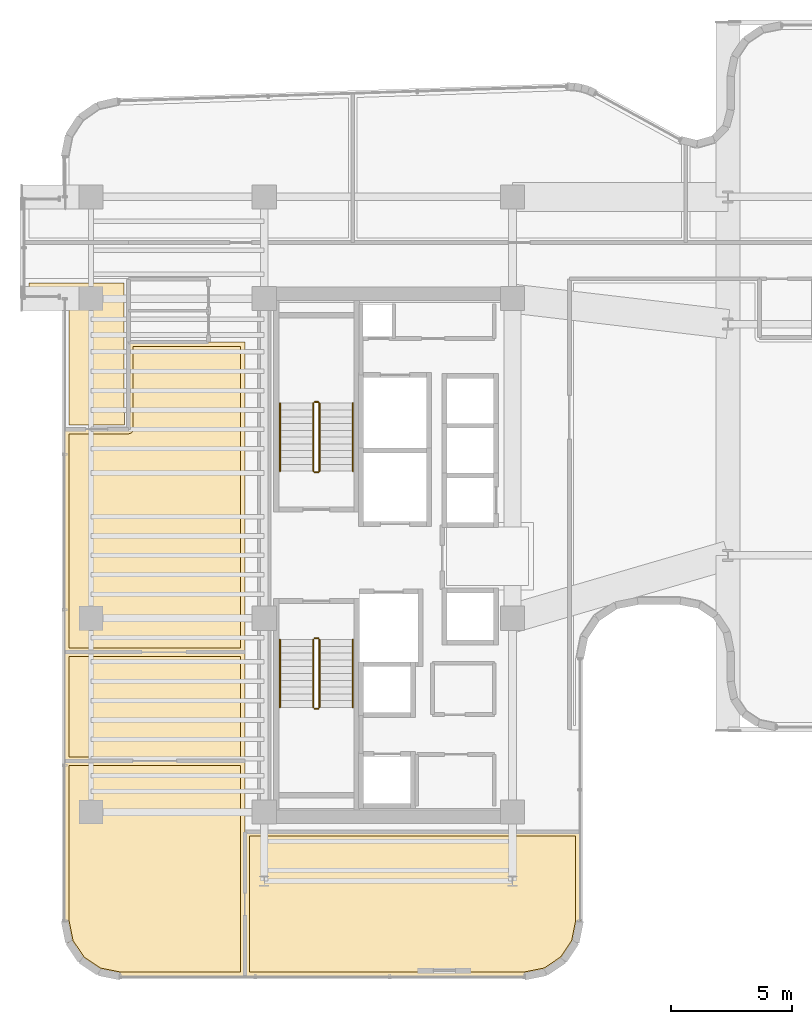
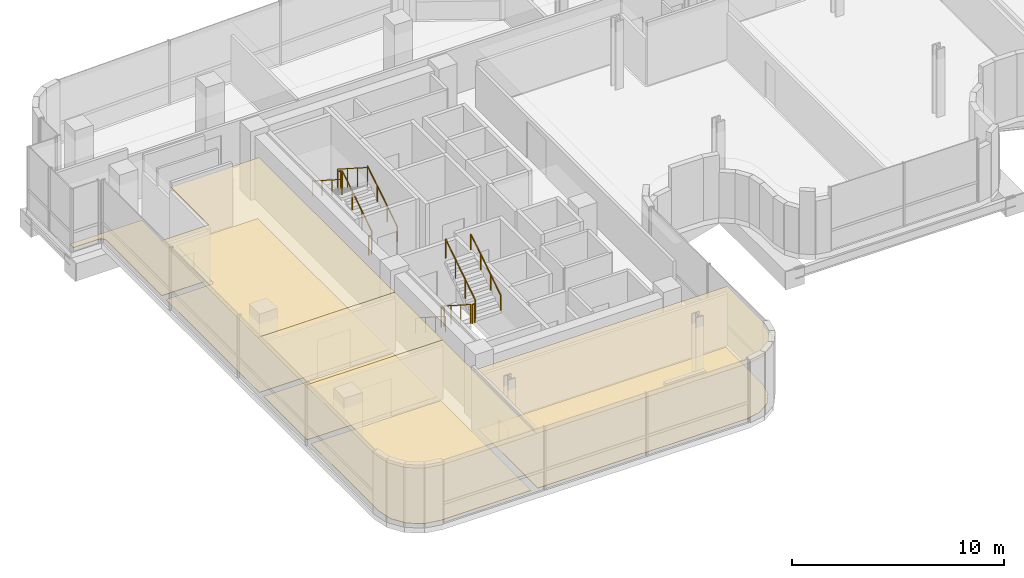
# One storey, part 32 of 37: 12 railings, 9 coverings.
"""IFC4 building model written with IfcOpenShell, lengths in metres."""

from ifc_helpers import new_model, si_unit, direction, frame, origin, origin_2d, place, context, subcontext, project, spatial, polyline, circle, outline, extrude, material, layer, layer_set, type_object, element, save


model = new_model("IFC4")

# Units and contexts
model_context = context("Model", 3, precision=1e-05, world=origin(), true_north=direction((0.0, 1.0)))
body_context = subcontext(model_context, "Body", "Model", "MODEL_VIEW")
ifc_project = project(units=[si_unit("LENGTHUNIT", "METRE"), si_unit("AREAUNIT", "SQUARE_METRE"), si_unit("VOLUMEUNIT", "CUBIC_METRE"), si_unit("PLANEANGLEUNIT", "RADIAN"), si_unit("MASSUNIT", "GRAM", prefix="KILO")], contexts=[model_context])

# Site, building, storey
site_placement = place(None, origin())
site = spatial("IfcSite", under=ifc_project, at=site_placement, CompositionType="ELEMENT")
building_placement = place(site_placement, origin())
building = spatial("IfcBuilding", under=site, at=building_placement, Name="Valdorenza Pilgrim Sanctuary Tower", CompositionType="ELEMENT")
storey_placement = place(building_placement, frame((0.0, 0.0, 188.39990234375)))
storey = spatial("IfcBuildingStorey", under=building, at=storey_placement, Name="L48", CompositionType="ELEMENT", Elevation=188.39990234375)

# Coverings
ifc_material_1 = material(Name="Micro-perforated acoustic mineral ceiling tile", Category="gypsum")
ifc_layer_1 = layer(ifc_material_1, 0.02490234375, Name="Micro-perforated acoustic mineral ceiling tile")
ifc_layer_set_1 = layer_set([ifc_layer_1], Name="Micro-perforated acoustic mineral ceiling tile")
covering_type_1 = type_object("IfcCoveringType", Name="COV-CLG-ACU", PredefinedType="CEILING", material=ifc_layer_set_1)
covering_1_placement = place(storey_placement, frame((0.0, 0.0, 3.330078125)))
element("IfcCovering", 1, at=covering_1_placement, inside=storey, type_object=covering_type_1, Name="L48 Sacred Archive Reading Library L48-S1 Acoustic Ceiling", PredefinedType="CEILING", context=body_context, shape_type="SweptSolid", body=[
    extrude(outline(polyline([(-23.43505859375, -17.389892578125), (-23.43505859375, -17.3916015625), (-23.435302734375, -17.392822265625), (-23.435546875, -17.394287109375), (-23.43603515625, -17.395751953125), (-23.436767578125, -17.397216796875), (-23.4375, -17.398193359375), (-23.4384765625, -17.3994140625), (-23.439453125, -17.400634765625), (-23.4404296875, -17.401611328125), (-23.441650390625, -17.402587890625), (-23.44287109375, -17.4033203125), (-23.4443359375, -17.40380859375), (-23.445556640625, -17.404296875), (-23.447021484375, -17.40478515625), (-23.448486328125, -17.40478515625), (-23.449951171875, -17.405029296875), (-28.589111328125, -17.405029296875), (-28.590576171875, -17.40478515625), (-28.592041015625, -17.40478515625), (-29.478515625, -17.228515625), (-29.479736328125, -17.22802734375), (-29.481201171875, -17.2275390625), (-29.482666015625, -17.226806640625), (-29.48388671875, -17.226318359375), (-30.22607421875, -16.730224609375), (-30.227294921875, -16.7294921875), (-30.228515625, -16.728515625), (-30.2294921875, -16.727294921875), (-30.230224609375, -16.72607421875), (-30.726318359375, -15.98388671875), (-30.726806640625, -15.982666015625), (-30.7275390625, -15.981201171875), (-30.72802734375, -15.979736328125), (-30.728515625, -15.978515625), (-30.90478515625, -15.092041015625), (-30.90478515625, -15.090576171875), (-30.905029296875, -15.089111328125), (-30.905029296875, -8.5), (-30.90478515625, -8.49853515625), (-30.90478515625, -8.4970703125), (-30.904296875, -8.49560546875), (-30.90380859375, -8.494384765625), (-30.9033203125, -8.492919921875), (-30.902587890625, -8.49169921875), (-30.901611328125, -8.490478515625), (-30.900634765625, -8.489501953125), (-30.8994140625, -8.48828125), (-30.898193359375, -8.487548828125), (-30.897216796875, -8.48681640625), (-30.895751953125, -8.486083984375), (-30.894287109375, -8.485595703125), (-30.892822265625, -8.4853515625), (-30.8916015625, -8.485107421875), (-30.889892578125, -8.485107421875), (-23.449951171875, -8.485107421875), (-23.448486328125, -8.485107421875), (-23.447021484375, -8.4853515625), (-23.445556640625, -8.485595703125), (-23.4443359375, -8.486083984375), (-23.44287109375, -8.48681640625), (-23.441650390625, -8.487548828125), (-23.4404296875, -8.48828125), (-23.439453125, -8.489501953125), (-23.4384765625, -8.490478515625), (-23.4375, -8.49169921875), (-23.436767578125, -8.492919921875), (-23.43603515625, -8.494384765625), (-23.435546875, -8.49560546875), (-23.435302734375, -8.4970703125), (-23.43505859375, -8.49853515625), (-23.43505859375, -8.5), (-23.43505859375, -17.389892578125)])), origin(), (0.0, 0.0, 1.0), 0.02490234375),
])
covering_2_placement = place(storey_placement, frame((0.0, 0.0, 3.330078125)))
element("IfcCovering", 2, at=covering_2_placement, inside=storey, type_object=covering_type_1, Name="L48 South Contemplation Salon L48 Acoustic Ceiling", PredefinedType="CEILING", context=body_context, shape_type="SweptSolid", body=[
    extrude(outline(polyline([(-23.43505859375, -8.498046875), (-23.43505859375, -8.49951171875), (-23.435302734375, -8.5009765625), (-23.435546875, -8.50244140625), (-23.43603515625, -8.503662109375), (-23.436767578125, -8.505126953125), (-23.4375, -8.50634765625), (-23.4384765625, -8.507568359375), (-23.439453125, -8.508544921875), (-23.4404296875, -8.509521484375), (-23.441650390625, -8.510498046875), (-23.44287109375, -8.51123046875), (-23.4443359375, -8.511962890625), (-23.445556640625, -8.512451171875), (-23.447021484375, -8.5126953125), (-23.448486328125, -8.512939453125), (-23.449951171875, -8.512939453125), (-30.889892578125, -8.512939453125), (-30.8916015625, -8.512939453125), (-30.892822265625, -8.5126953125), (-30.894287109375, -8.512451171875), (-30.895751953125, -8.511962890625), (-30.897216796875, -8.51123046875), (-30.898193359375, -8.510498046875), (-30.8994140625, -8.509521484375), (-30.900634765625, -8.508544921875), (-30.901611328125, -8.507568359375), (-30.902587890625, -8.50634765625), (-30.9033203125, -8.505126953125), (-30.90380859375, -8.503662109375), (-30.904296875, -8.50244140625), (-30.90478515625, -8.5009765625), (-30.90478515625, -8.49951171875), (-30.905029296875, -8.498046875), (-30.905029296875, -4.0), (-30.90478515625, -3.99853515625), (-30.90478515625, -3.9970703125), (-30.904296875, -3.99560546875), (-30.90380859375, -3.994384765625), (-30.9033203125, -3.992919921875), (-30.902587890625, -3.99169921875), (-30.901611328125, -3.990478515625), (-30.900634765625, -3.989501953125), (-30.8994140625, -3.98828125), (-30.898193359375, -3.987548828125), (-30.897216796875, -3.98681640625), (-30.895751953125, -3.986083984375), (-30.894287109375, -3.985595703125), (-30.892822265625, -3.9853515625), (-30.8916015625, -3.985107421875), (-30.889892578125, -3.985107421875), (-23.449951171875, -3.985107421875), (-23.448486328125, -3.985107421875), (-23.447021484375, -3.9853515625), (-23.445556640625, -3.985595703125), (-23.4443359375, -3.986083984375), (-23.44287109375, -3.98681640625), (-23.441650390625, -3.987548828125), (-23.4404296875, -3.98828125), (-23.439453125, -3.989501953125), (-23.4384765625, -3.990478515625), (-23.4375, -3.99169921875), (-23.436767578125, -3.992919921875), (-23.43603515625, -3.994384765625), (-23.435546875, -3.99560546875), (-23.435302734375, -3.9970703125), (-23.43505859375, -3.99853515625), (-23.43505859375, -4.0), (-23.43505859375, -8.498046875)])), origin(), (0.0, 0.0, 1.0), 0.02490234375),
])
covering_3_placement = place(storey_placement, frame((0.0, 0.0, 3.330078125)))
element("IfcCovering", 3, at=covering_3_placement, inside=storey, type_object=covering_type_1, Name="L48 North Contemplation Salon L48 Acoustic Ceiling", PredefinedType="CEILING", context=body_context, shape_type="SweptSolid", body=[
    extrude(outline(polyline([(-28.262939453125, 5.212890625), (-28.262939453125, 8.798095703125), (-28.262939453125, 8.799560546875), (-28.2626953125, 8.80078125), (-28.262451171875, 8.802490234375), (-28.261962890625, 8.8037109375), (-28.26123046875, 8.80517578125), (-28.260498046875, 8.806396484375), (-28.259521484375, 8.8076171875), (-28.258544921875, 8.80859375), (-28.257568359375, 8.8095703125), (-28.25634765625, 8.810546875), (-28.255126953125, 8.811279296875), (-28.253662109375, 8.81201171875), (-28.25244140625, 8.8125), (-28.2509765625, 8.812744140625), (-28.24951171875, 8.81298828125), (-28.248046875, 8.81298828125), (-24.955322265625, 8.81298828125), (-24.954833984375, 8.813232421875), (-24.95361328125, 8.81396484375), (-24.9521484375, 8.814453125), (-24.95068359375, 8.814697265625), (-24.949462890625, 8.81494140625), (-24.947998046875, 8.81494140625), (-23.449951171875, 8.81494140625), (-23.448486328125, 8.81494140625), (-23.447021484375, 8.814697265625), (-23.445556640625, 8.814453125), (-23.4443359375, 8.81396484375), (-23.44287109375, 8.813232421875), (-23.441650390625, 8.8125), (-23.4404296875, 8.8115234375), (-23.439453125, 8.810546875), (-23.4384765625, 8.8095703125), (-23.4375, 8.808349609375), (-23.436767578125, 8.80712890625), (-23.43603515625, 8.8056640625), (-23.435546875, 8.804443359375), (-23.435302734375, 8.802978515625), (-23.43505859375, 8.801513671875), (-23.43505859375, 8.800048828125), (-23.43505859375, -3.998046875), (-23.43505859375, -3.99951171875), (-23.435302734375, -4.0009765625), (-23.435546875, -4.00244140625), (-23.43603515625, -4.003662109375), (-23.436767578125, -4.005126953125), (-23.4375, -4.00634765625), (-23.4384765625, -4.007568359375), (-23.439453125, -4.008544921875), (-23.4404296875, -4.009521484375), (-23.441650390625, -4.010498046875), (-23.44287109375, -4.01123046875), (-23.4443359375, -4.011962890625), (-23.445556640625, -4.012451171875), (-23.447021484375, -4.0126953125), (-23.448486328125, -4.012939453125), (-23.449951171875, -4.012939453125), (-30.889892578125, -4.012939453125), (-30.8916015625, -4.012939453125), (-30.892822265625, -4.0126953125), (-30.894287109375, -4.012451171875), (-30.895751953125, -4.011962890625), (-30.897216796875, -4.01123046875), (-30.898193359375, -4.010498046875), (-30.8994140625, -4.009521484375), (-30.900634765625, -4.008544921875), (-30.901611328125, -4.007568359375), (-30.902587890625, -4.00634765625), (-30.9033203125, -4.005126953125), (-30.90380859375, -4.003662109375), (-30.904296875, -4.00244140625), (-30.90478515625, -4.0009765625), (-30.90478515625, -3.99951171875), (-30.905029296875, -3.998046875), (-30.905029296875, 5.197998046875), (-30.90478515625, 5.199462890625), (-30.90478515625, 5.200927734375), (-30.904296875, 5.202392578125), (-30.90380859375, 5.20361328125), (-30.9033203125, 5.205078125), (-30.902587890625, 5.206298828125), (-30.901611328125, 5.20751953125), (-30.900634765625, 5.20849609375), (-30.8994140625, 5.209716796875), (-30.898193359375, 5.21044921875), (-30.897216796875, 5.211181640625), (-30.895751953125, 5.2119140625), (-30.894287109375, 5.21240234375), (-30.892822265625, 5.212646484375), (-30.8916015625, 5.212890625), (-30.889892578125, 5.212890625), (-28.262939453125, 5.212890625)])), origin(), (0.0, 0.0, 1.0), 0.02490234375),
])
covering_4_placement = place(storey_placement, frame((0.0, 0.0, 3.330078125)))
element("IfcCovering", 4, at=covering_4_placement, inside=storey, type_object=covering_type_1, Name="L48 Sacred Archive Reading Library L48-S Acoustic Ceiling", PredefinedType="CEILING", context=body_context, shape_type="SweptSolid", body=[
    extrude(outline(polyline([(-9.610107421875, -11.405029296875), (-9.6083984375, -11.405029296875), (-9.607177734375, -11.4052734375), (-9.605712890625, -11.405517578125), (-9.604248046875, -11.406005859375), (-9.602783203125, -11.40673828125), (-9.601806640625, -11.407470703125), (-9.6005859375, -11.408447265625), (-9.599365234375, -11.409423828125), (-9.598388671875, -11.410400390625), (-9.597412109375, -11.41162109375), (-9.5966796875, -11.412841796875), (-9.59619140625, -11.414306640625), (-9.595703125, -11.41552734375), (-9.59521484375, -11.4169921875), (-9.59521484375, -11.41845703125), (-9.594970703125, -11.419921875), (-9.594970703125, -15.089111328125), (-9.59521484375, -15.090576171875), (-9.59521484375, -15.092041015625), (-9.771484375, -15.978515625), (-9.77197265625, -15.979736328125), (-9.7724609375, -15.981201171875), (-9.773193359375, -15.982666015625), (-9.773681640625, -15.98388671875), (-10.269775390625, -16.72607421875), (-10.2705078125, -16.727294921875), (-10.271484375, -16.728515625), (-10.272705078125, -16.7294921875), (-10.27392578125, -16.730224609375), (-11.01611328125, -17.226318359375), (-11.017333984375, -17.226806640625), (-11.018798828125, -17.2275390625), (-11.020263671875, -17.22802734375), (-11.021484375, -17.228515625), (-11.907958984375, -17.40478515625), (-11.909423828125, -17.40478515625), (-11.910888671875, -17.405029296875), (-23.447998046875, -17.405029296875), (-23.449462890625, -17.40478515625), (-23.450927734375, -17.40478515625), (-23.452392578125, -17.404296875), (-23.45361328125, -17.40380859375), (-23.455078125, -17.4033203125), (-23.456298828125, -17.402587890625), (-23.45751953125, -17.401611328125), (-23.45849609375, -17.400634765625), (-23.459716796875, -17.3994140625), (-23.46044921875, -17.398193359375), (-23.461181640625, -17.397216796875), (-23.4619140625, -17.395751953125), (-23.46240234375, -17.394287109375), (-23.462646484375, -17.392822265625), (-23.462890625, -17.3916015625), (-23.462890625, -17.389892578125), (-23.462890625, -11.419921875), (-23.462890625, -11.41845703125), (-23.462646484375, -11.4169921875), (-23.46240234375, -11.41552734375), (-23.4619140625, -11.414306640625), (-23.461181640625, -11.412841796875), (-23.46044921875, -11.41162109375), (-23.459716796875, -11.410400390625), (-23.45849609375, -11.409423828125), (-23.45751953125, -11.408447265625), (-23.456298828125, -11.407470703125), (-23.455078125, -11.40673828125), (-23.45361328125, -11.406005859375), (-23.452392578125, -11.405517578125), (-23.450927734375, -11.4052734375), (-23.449462890625, -11.405029296875), (-23.447998046875, -11.405029296875), (-9.610107421875, -11.405029296875)])), origin(), (0.0, 0.0, 1.0), 0.02490234375),
])
ifc_material_2 = material(Name="Honed travertine stone flooring", Category="masonry")
ifc_layer_2 = layer(ifc_material_2, 0.030029296875, Name="Honed travertine stone flooring")
ifc_layer_set_2 = layer_set([ifc_layer_2], Name="Honed travertine stone flooring")
covering_type_2 = type_object("IfcCoveringType", Name="COV-FLR-TRV", PredefinedType="FLOORING", material=ifc_layer_set_2)
covering_5_placement = place(storey_placement, origin())
element("IfcCovering", 5, at=covering_5_placement, inside=storey, type_object=covering_type_2, Name="L48 Sacred Archive Reading Library L48-S1 Flooring", PredefinedType="FLOORING", context=body_context, shape_type="SweptSolid", body=[
    extrude(outline(polyline([(-23.6298828125, -17.2099609375), (-28.5712890625, -17.2099609375), (-29.4052734375, -17.044189453125), (-30.087890625, -16.587890625), (-30.544189453125, -15.9052734375), (-30.7099609375, -15.0712890625), (-30.7099609375, -8.679931640625), (-23.6298828125, -8.679931640625), (-23.6298828125, -17.2099609375)])), origin(), (0.0, 0.0, 1.0), 0.025146484375),
])
covering_6_placement = place(storey_placement, origin())
element("IfcCovering", 6, at=covering_6_placement, inside=storey, type_object=covering_type_2, Name="L48 North Contemplation Lounge L48 Flooring", PredefinedType="FLOORING", context=body_context, shape_type="SweptSolid", body=[
    extrude(outline(polyline([(-28.431884765625, 11.239990234375), (-28.431884765625, 10.10205078125), (-28.431884765625, 10.10107421875), (-28.431884765625, 10.100341796875), (-28.431884765625, 10.10009765625), (-28.431884765625, 8.800048828125), (-28.43017578125, 5.3798828125), (-30.7099609375, 5.3798828125), (-30.7099609375, 10.60009765625), (-30.710205078125, 10.60888671875), (-30.710693359375, 10.61962890625), (-30.71240234375, 10.63720703125), (-30.714111328125, 10.64794921875), (-30.717529296875, 10.665283203125), (-30.72021484375, 10.67578125), (-30.725341796875, 10.692626953125), (-30.72900390625, 10.70263671875), (-30.735595703125, 10.718994140625), (-30.740234375, 10.728759765625), (-30.74853515625, 10.744384765625), (-30.754150390625, 10.753662109375), (-30.763916015625, 10.768310546875), (-30.7705078125, 10.777099609375), (-30.781494140625, 10.790771484375), (-30.788818359375, 10.798583984375), (-30.80126953125, 10.811279296875), (-30.809326171875, 10.818359375), (-30.822998046875, 10.82958984375), (-30.831787109375, 10.8359375), (-30.84619140625, 10.845947265625), (-30.855712890625, 10.851318359375), (-30.87109375, 10.859619140625), (-30.880859375, 10.8642578125), (-30.897216796875, 10.87109375), (-30.907470703125, 10.874755859375), (-30.92431640625, 10.8798828125), (-30.934814453125, 10.882568359375), (-30.9521484375, 10.885986328125), (-30.962890625, 10.887451171875), (-30.98046875, 10.889404296875), (-30.9912109375, 10.889892578125), (-31.0, 10.889892578125), (-32.360107421875, 10.889892578125), (-32.360107421875, 11.239990234375), (-28.431884765625, 11.239990234375)])), origin(), (0.0, 0.0, 1.0), 0.025146484375),
])
covering_7_placement = place(storey_placement, origin())
element("IfcCovering", 7, at=covering_7_placement, inside=storey, type_object=covering_type_2, Name="L48 South Contemplation Salon L48 Flooring", PredefinedType="FLOORING", context=body_context, shape_type="SweptSolid", body=[
    extrude(outline(polyline([(-23.6298828125, -8.318115234375), (-30.7099609375, -8.318115234375), (-30.7099609375, -4.179931640625), (-23.6298828125, -4.179931640625), (-23.6298828125, -8.318115234375)])), origin(), (0.0, 0.0, 1.0), 0.025146484375),
])
covering_8_placement = place(storey_placement, origin())
element("IfcCovering", 8, at=covering_8_placement, inside=storey, type_object=covering_type_2, Name="L48 North Contemplation Salon L48 Flooring", PredefinedType="FLOORING", context=body_context, shape_type="SweptSolid", body=[
    extrude(outline(polyline([(-23.6298828125, 8.619873046875), (-23.6298828125, -3.818115234375), (-30.7099609375, -3.818115234375), (-30.7099609375, 5.01806640625), (-28.25, 5.01806640625), (-28.2412109375, 5.018310546875), (-28.240966796875, 5.018310546875), (-28.223388671875, 5.02001953125), (-28.22314453125, 5.02001953125), (-28.205810546875, 5.0234375), (-28.205810546875, 5.0234375), (-28.188720703125, 5.028564453125), (-28.188720703125, 5.02880859375), (-28.17236328125, 5.035400390625), (-28.172119140625, 5.035400390625), (-28.156494140625, 5.043701171875), (-28.156494140625, 5.0439453125), (-28.1416015625, 5.0537109375), (-28.1416015625, 5.053955078125), (-28.1279296875, 5.065185546875), (-28.127685546875, 5.065185546875), (-28.115234375, 5.07763671875), (-28.114990234375, 5.077880859375), (-28.10400390625, 5.091552734375), (-28.103759765625, 5.091796875), (-28.093994140625, 5.1064453125), (-28.09375, 5.1064453125), (-28.08544921875, 5.1220703125), (-28.08544921875, 5.122314453125), (-28.07861328125, 5.138671875), (-28.07861328125, 5.138916015625), (-28.073486328125, 5.15576171875), (-28.073486328125, 5.156005859375), (-28.070068359375, 5.173095703125), (-28.070068359375, 5.17333984375), (-28.068115234375, 5.19091796875), (-28.068115234375, 5.191162109375), (-28.068115234375, 5.199951171875), (-28.068115234375, 8.617919921875), (-24.949951171875, 8.617919921875), (-24.94970703125, 8.617919921875), (-23.6298828125, 8.619873046875)])), origin(), (0.0, 0.0, 1.0), 0.025146484375),
])
covering_9_placement = place(storey_placement, origin())
element("IfcCovering", 9, at=covering_9_placement, inside=storey, type_object=covering_type_2, Name="L48 Sacred Archive Reading Library L48-S Flooring", PredefinedType="FLOORING", context=body_context, shape_type="SweptSolid", body=[
    extrude(outline(polyline([(-9.7900390625, -11.60009765625), (-9.7900390625, -15.0712890625), (-9.955810546875, -15.9052734375), (-10.412109375, -16.587890625), (-11.0947265625, -17.044189453125), (-11.9287109375, -17.2099609375), (-23.26806640625, -17.2099609375), (-23.26806640625, -11.60009765625), (-9.7900390625, -11.60009765625)])), origin(), (0.0, 0.0, 1.0), 0.025146484375),
])

# Railings
ifc_material_3 = material(Name="Stainless steel Grade 316", Category="steel")
railing_type_1 = type_object("IfcRailingType", Name="RLG-GRD-1120", PredefinedType="GUARDRAIL", material=ifc_material_3)
railing_1_placement = place(storey_placement, frame((-20.3701171875, 3.47998046875, 0.1796875)))
element("IfcRailing", 10, at=railing_1_placement, inside=storey, type_object=railing_type_1, Name="L48 ST-A1 stair guard 1", PredefinedType="GUARDRAIL", context=body_context, shape_type="SweptSolid", body=[
    extrude(circle(Radius=0.02392578125, at=origin_2d()), frame((0.0, 0.0, 1.076171875), z_axis=(0.0, 0.841809871826, 0.539774156196), x_axis=(-1.0, 0.0, 0.0)), (0.0, 0.0, 1.0), 3.326171875),
    extrude(circle(Radius=0.02099609375, at=origin_2d()), origin(), (0.0, 0.0, 1.0), 1.052001953125),
    extrude(circle(Radius=0.02099609375, at=origin_2d()), frame((0.0, 0.933349609375, 0.598388671875)), (0.0, 0.0, 1.0), 1.052001953125),
    extrude(circle(Radius=0.02099609375, at=origin_2d()), frame((0.0, 1.86669921875, 1.197021484375)), (0.0, 0.0, 1.0), 1.052001953125),
    extrude(circle(Radius=0.02099609375, at=origin_2d()), frame((0.0, 2.800048828125, 1.79541015625)), (0.0, 0.0, 1.0), 1.052001953125),
])
railing_2_placement = place(storey_placement, frame((-20.419921875, 6.330078125, 1.97509765625)))
element("IfcRailing", 11, at=railing_2_placement, inside=storey, type_object=railing_type_1, Name="L48 ST-A1 stair guard 2", PredefinedType="GUARDRAIL", context=body_context, shape_type="SweptSolid", body=[
    extrude(circle(Radius=0.02392578125, at=origin_2d()), frame((0.0, 0.0, 1.076171875), z_axis=(-1.0, 0.0, 0.0), x_axis=(0.0, -1.0, 0.0)), (0.0, 0.0, 1.0), 0.150146484375),
    extrude(circle(Radius=0.02099609375, at=origin_2d()), origin(), (0.0, 0.0, 1.0), 1.052001953125),
    extrude(circle(Radius=0.02099609375, at=origin_2d()), frame((-0.150146484375, 0.0, 0.0)), (0.0, 0.0, 1.0), 1.052001953125),
])
railing_3_placement = place(storey_placement, frame((-20.6201171875, 6.280029296875, 2.154541015625)))
element("IfcRailing", 12, at=railing_3_placement, inside=storey, type_object=railing_type_1, Name="L48 ST-A1 stair guard 3", PredefinedType="GUARDRAIL", context=body_context, shape_type="SweptSolid", body=[
    extrude(circle(Radius=0.02392578125, at=origin_2d()), frame((0.0, 0.0, 1.076171875), z_axis=(0.0, -0.841776520102, 0.539826166654), x_axis=(1.0, 0.0, 0.0)), (0.0, 0.0, 1.0), 3.326416015625),
    extrude(circle(Radius=0.02099609375, at=origin_2d()), origin(), (0.0, 0.0, 1.0), 1.052001953125),
    extrude(circle(Radius=0.02099609375, at=origin_2d()), frame((0.0, -0.933349609375, 0.5986328125)), (0.0, 0.0, 1.0), 1.052001953125),
    extrude(circle(Radius=0.02099609375, at=origin_2d()), frame((0.0, -1.86669921875, 1.197021484375)), (0.0, 0.0, 1.0), 1.052001953125),
    extrude(circle(Radius=0.02099609375, at=origin_2d()), frame((0.0, -2.800048828125, 1.795654296875)), (0.0, 0.0, 1.0), 1.052001953125),
])
railing_4_placement = place(storey_placement, frame((-20.419921875, 3.429931640625, 0.0)))
element("IfcRailing", 13, at=railing_4_placement, inside=storey, type_object=railing_type_1, Name="L48 ST-A1 stair guard 4", PredefinedType="GUARDRAIL", context=body_context, shape_type="SweptSolid", body=[
    extrude(circle(Radius=0.02392578125, at=origin_2d()), frame((0.0, 0.0, 1.076171875), z_axis=(-1.0, 0.0, 0.0), x_axis=(0.0, -1.0, 0.0)), (0.0, 0.0, 1.0), 0.150146484375),
    extrude(circle(Radius=0.02099609375, at=origin_2d()), origin(), (0.0, 0.0, 1.0), 1.052001953125),
    extrude(circle(Radius=0.02099609375, at=origin_2d()), frame((-0.150146484375, 0.0, 0.0)), (0.0, 0.0, 1.0), 1.052001953125),
])
railing_5_placement = place(storey_placement, frame((-20.6201171875, -3.47998046875, 0.1796875)))
element("IfcRailing", 14, at=railing_5_placement, inside=storey, type_object=railing_type_1, Name="L48 ST-A2 stair guard 1", PredefinedType="GUARDRAIL", context=body_context, shape_type="SweptSolid", body=[
    extrude(circle(Radius=0.02392578125, at=origin_2d()), frame((0.0, 0.0, 1.076171875), z_axis=(0.0, -0.841809871826, 0.539774156196), x_axis=(1.0, 0.0, 0.0)), (0.0, 0.0, 1.0), 3.326171875),
    extrude(circle(Radius=0.02099609375, at=origin_2d()), origin(), (0.0, 0.0, 1.0), 1.052001953125),
    extrude(circle(Radius=0.02099609375, at=origin_2d()), frame((0.0, -0.933349609375, 0.598388671875)), (0.0, 0.0, 1.0), 1.052001953125),
    extrude(circle(Radius=0.02099609375, at=origin_2d()), frame((0.0, -1.86669921875, 1.197021484375)), (0.0, 0.0, 1.0), 1.052001953125),
    extrude(circle(Radius=0.02099609375, at=origin_2d()), frame((0.0, -2.800048828125, 1.79541015625)), (0.0, 0.0, 1.0), 1.052001953125),
])
railing_6_placement = place(storey_placement, frame((-20.570068359375, -6.330078125, 1.97509765625)))
element("IfcRailing", 15, at=railing_6_placement, inside=storey, type_object=railing_type_1, Name="L48 ST-A2 stair guard 2", PredefinedType="GUARDRAIL", context=body_context, shape_type="SweptSolid", body=[
    extrude(circle(Radius=0.02392578125, at=origin_2d()), frame((0.0, 0.0, 1.076171875), z_axis=(1.0, 0.0, 0.0), x_axis=(0.0, 1.0, 0.0)), (0.0, 0.0, 1.0), 0.150146484375),
    extrude(circle(Radius=0.02099609375, at=origin_2d()), origin(), (0.0, 0.0, 1.0), 1.052001953125),
    extrude(circle(Radius=0.02099609375, at=origin_2d()), frame((0.150146484375, 0.0, 0.0)), (0.0, 0.0, 1.0), 1.052001953125),
])
railing_7_placement = place(storey_placement, frame((-20.3701171875, -6.280029296875, 2.154541015625)))
element("IfcRailing", 16, at=railing_7_placement, inside=storey, type_object=railing_type_1, Name="L48 ST-A2 stair guard 3", PredefinedType="GUARDRAIL", context=body_context, shape_type="SweptSolid", body=[
    extrude(circle(Radius=0.02392578125, at=origin_2d()), frame((0.0, 0.0, 1.076171875), z_axis=(0.0, 0.841776520102, 0.539826166654), x_axis=(-1.0, 0.0, 0.0)), (0.0, 0.0, 1.0), 3.326416015625),
    extrude(circle(Radius=0.02099609375, at=origin_2d()), origin(), (0.0, 0.0, 1.0), 1.052001953125),
    extrude(circle(Radius=0.02099609375, at=origin_2d()), frame((0.0, 0.933349609375, 0.5986328125)), (0.0, 0.0, 1.0), 1.052001953125),
    extrude(circle(Radius=0.02099609375, at=origin_2d()), frame((0.0, 1.86669921875, 1.197021484375)), (0.0, 0.0, 1.0), 1.052001953125),
    extrude(circle(Radius=0.02099609375, at=origin_2d()), frame((0.0, 2.800048828125, 1.795654296875)), (0.0, 0.0, 1.0), 1.052001953125),
])
railing_8_placement = place(storey_placement, frame((-20.570068359375, -3.429931640625, 0.0)))
element("IfcRailing", 17, at=railing_8_placement, inside=storey, type_object=railing_type_1, Name="L48 ST-A2 stair guard 4", PredefinedType="GUARDRAIL", context=body_context, shape_type="SweptSolid", body=[
    extrude(circle(Radius=0.02392578125, at=origin_2d()), frame((0.0, 0.0, 1.076171875), z_axis=(1.0, 0.0, 0.0), x_axis=(0.0, 1.0, 0.0)), (0.0, 0.0, 1.0), 0.150146484375),
    extrude(circle(Radius=0.02099609375, at=origin_2d()), origin(), (0.0, 0.0, 1.0), 1.052001953125),
    extrude(circle(Radius=0.02099609375, at=origin_2d()), frame((0.150146484375, 0.0, 0.0)), (0.0, 0.0, 1.0), 1.052001953125),
])
ifc_material_4 = material(Name="Brushed stainless steel Grade 316", Category="steel")
railing_type_2 = type_object("IfcRailingType", Name="RLG-HND-920", PredefinedType="HANDRAIL", material=ifc_material_4)
railing_9_placement = place(storey_placement, frame((-18.989990234375, 3.47998046875, 0.1796875)))
element("IfcRailing", 18, at=railing_9_placement, inside=storey, type_object=railing_type_2, Name="L48 ST-A1 stair handrail 1", PredefinedType="HANDRAIL", context=body_context, shape_type="SweptSolid", body=[
    extrude(circle(Radius=0.02392578125, at=origin_2d()), frame((0.0, 0.0, 0.8759765625), z_axis=(0.0, 0.841809871826, 0.539774156196), x_axis=(-1.0, 0.0, 0.0)), (0.0, 0.0, 1.0), 3.326171875),
    extrude(circle(Radius=0.02099609375, at=origin_2d()), origin(), (0.0, 0.0, 1.0), 0.851806640625),
    extrude(circle(Radius=0.02099609375, at=origin_2d()), frame((0.0, 0.933349609375, 0.598388671875)), (0.0, 0.0, 1.0), 0.851806640625),
    extrude(circle(Radius=0.02099609375, at=origin_2d()), frame((0.0, 1.86669921875, 1.197021484375)), (0.0, 0.0, 1.0), 0.851806640625),
    extrude(circle(Radius=0.02099609375, at=origin_2d()), frame((0.0, 2.800048828125, 1.79541015625)), (0.0, 0.0, 1.0), 0.851806640625),
])
railing_10_placement = place(storey_placement, frame((-22.0, 6.280029296875, 2.154541015625)))
element("IfcRailing", 19, at=railing_10_placement, inside=storey, type_object=railing_type_2, Name="L48 ST-A1 stair handrail 2", PredefinedType="HANDRAIL", context=body_context, shape_type="SweptSolid", body=[
    extrude(circle(Radius=0.02392578125, at=origin_2d()), frame((0.0, 0.0, 0.8759765625), z_axis=(0.0, -0.841776520102, 0.539826166654), x_axis=(1.0, 0.0, 0.0)), (0.0, 0.0, 1.0), 3.326416015625),
    extrude(circle(Radius=0.02099609375, at=origin_2d()), origin(), (0.0, 0.0, 1.0), 0.851806640625),
    extrude(circle(Radius=0.02099609375, at=origin_2d()), frame((0.0, -0.933349609375, 0.5986328125)), (0.0, 0.0, 1.0), 0.851806640625),
    extrude(circle(Radius=0.02099609375, at=origin_2d()), frame((0.0, -1.86669921875, 1.197021484375)), (0.0, 0.0, 1.0), 0.851806640625),
    extrude(circle(Radius=0.02099609375, at=origin_2d()), frame((0.0, -2.800048828125, 1.795654296875)), (0.0, 0.0, 1.0), 0.851806640625),
])
railing_11_placement = place(storey_placement, frame((-22.0, -3.47998046875, 0.1796875)))
element("IfcRailing", 20, at=railing_11_placement, inside=storey, type_object=railing_type_2, Name="L48 ST-A2 stair handrail 1", PredefinedType="HANDRAIL", context=body_context, shape_type="SweptSolid", body=[
    extrude(circle(Radius=0.02392578125, at=origin_2d()), frame((0.0, 0.0, 0.8759765625), z_axis=(0.0, -0.841809871826, 0.539774156196), x_axis=(1.0, 0.0, 0.0)), (0.0, 0.0, 1.0), 3.326171875),
    extrude(circle(Radius=0.02099609375, at=origin_2d()), origin(), (0.0, 0.0, 1.0), 0.851806640625),
    extrude(circle(Radius=0.02099609375, at=origin_2d()), frame((0.0, -0.933349609375, 0.598388671875)), (0.0, 0.0, 1.0), 0.851806640625),
    extrude(circle(Radius=0.02099609375, at=origin_2d()), frame((0.0, -1.86669921875, 1.197021484375)), (0.0, 0.0, 1.0), 0.851806640625),
    extrude(circle(Radius=0.02099609375, at=origin_2d()), frame((0.0, -2.800048828125, 1.79541015625)), (0.0, 0.0, 1.0), 0.851806640625),
])
railing_12_placement = place(storey_placement, frame((-18.989990234375, -6.280029296875, 2.154541015625)))
element("IfcRailing", 21, at=railing_12_placement, inside=storey, type_object=railing_type_2, Name="L48 ST-A2 stair handrail 2", PredefinedType="HANDRAIL", context=body_context, shape_type="SweptSolid", body=[
    extrude(circle(Radius=0.02392578125, at=origin_2d()), frame((0.0, 0.0, 0.8759765625), z_axis=(0.0, 0.841776520102, 0.539826166654), x_axis=(-1.0, 0.0, 0.0)), (0.0, 0.0, 1.0), 3.326416015625),
    extrude(circle(Radius=0.02099609375, at=origin_2d()), origin(), (0.0, 0.0, 1.0), 0.851806640625),
    extrude(circle(Radius=0.02099609375, at=origin_2d()), frame((0.0, 0.933349609375, 0.5986328125)), (0.0, 0.0, 1.0), 0.851806640625),
    extrude(circle(Radius=0.02099609375, at=origin_2d()), frame((0.0, 1.86669921875, 1.197021484375)), (0.0, 0.0, 1.0), 0.851806640625),
    extrude(circle(Radius=0.02099609375, at=origin_2d()), frame((0.0, 2.800048828125, 1.795654296875)), (0.0, 0.0, 1.0), 0.851806640625),
])

save(model, "model.ifc")
